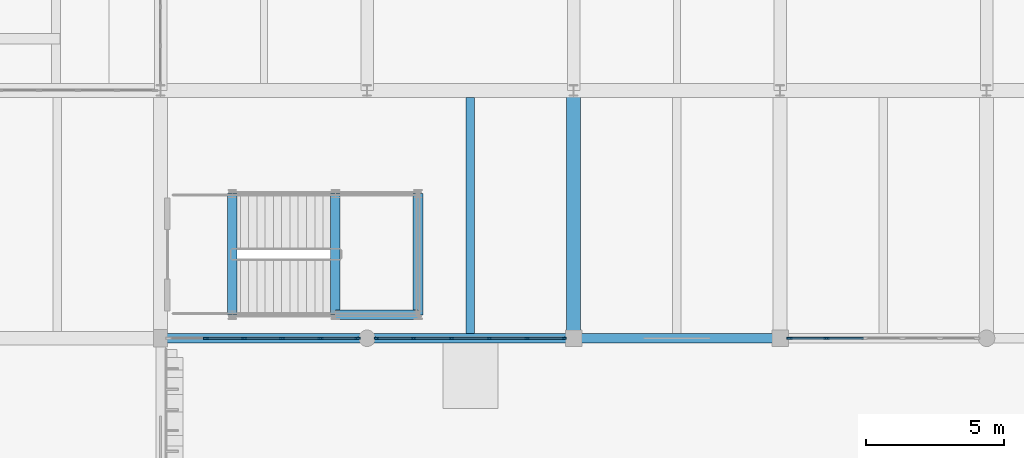
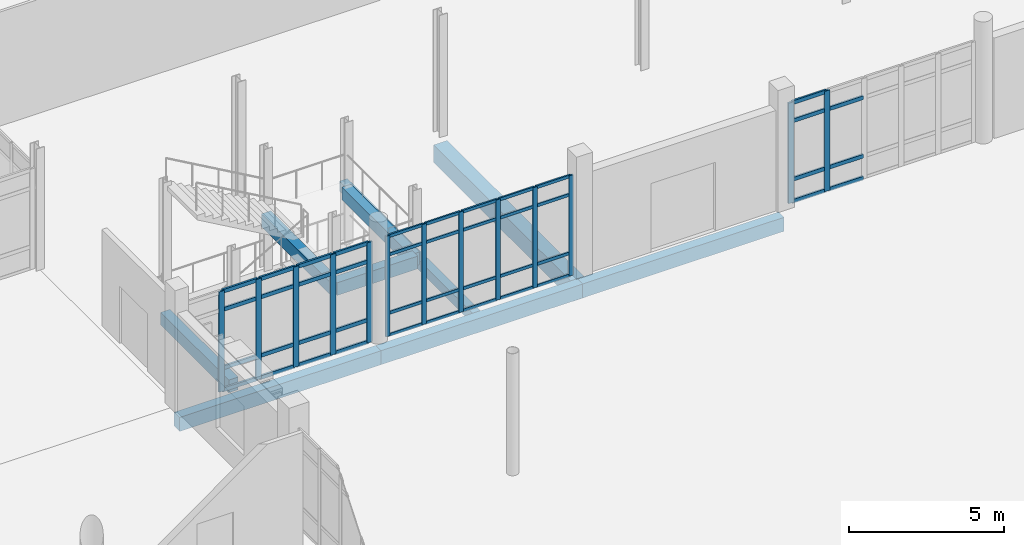
# One storey, part 29 of 125: 56 members, 9 beams, 3 elements without a shape of their own.
"""IFC4 building model written with IfcOpenShell, lengths in metres."""

from ifc_helpers import new_model, si_unit, direction, frame, origin, origin_2d, place, context, subcontext, project, spatial, rectangle, extrude, material, layer, layer_set, material_profile, profile_set, type_object, element, aggregate, save


model = new_model("IFC4")

# Units and contexts
model_context = context("Model", 3, precision=1e-05, world=origin(), true_north=direction((0.0, 1.0)))
body_context = subcontext(model_context, "Body", "Model", "MODEL_VIEW")
ifc_project = project(units=[si_unit("LENGTHUNIT", "METRE"), si_unit("AREAUNIT", "SQUARE_METRE"), si_unit("VOLUMEUNIT", "CUBIC_METRE"), si_unit("PLANEANGLEUNIT", "RADIAN"), si_unit("MASSUNIT", "GRAM", prefix="KILO")], contexts=[model_context])

# Site, building, storey
site_placement = place(None, origin())
site = spatial("IfcSite", under=ifc_project, at=site_placement, CompositionType="ELEMENT")
building_placement = place(site_placement, origin())
building = spatial("IfcBuilding", under=site, at=building_placement, Name="Dalvernix Boulevard General Hospital", CompositionType="ELEMENT")
storey_placement = place(building_placement, origin())
storey = spatial("IfcBuildingStorey", under=building, at=storey_placement, Name="L00", CompositionType="ELEMENT", Elevation=0.0)

# Beams
ifc_material_1 = material(Name="Concrete C35/45", Category="concrete")
ifc_material_profile_1 = material_profile(ifc_material_1, rectangle(XDim=0.5, YDim=0.699951171875, at=origin_2d()), Name="RCB 500x700")
ifc_profile_set_1 = profile_set([ifc_material_profile_1], Name="Concrete C35/45")
beam_type_1 = type_object("IfcBeamType", Name="BM-B-01-I", PredefinedType="BEAM", material=ifc_profile_set_1)
beam_1_placement = place(storey_placement, frame((75.0, 22.5, -0.7099609375), z_axis=(0.0, 1.0, 0.0), x_axis=(-1.0, 0.0, 0.0)))
element("IfcBeam", 1, at=beam_1_placement, inside=storey, type_object=beam_type_1, Name="L00 N-S girder 11:D-E", PredefinedType="BEAM", context=body_context, shape_type="SweptSolid", body=[
    extrude(rectangle(XDim=0.5, YDim=0.699951171875, at=origin_2d()), origin(), (0.0, 0.0, 1.0), 9.0),
])
ifc_material_profile_2 = material_profile(ifc_material_1, rectangle(XDim=0.35009765625, YDim=0.5, at=origin_2d()), Name="RCB 350x500")
ifc_profile_set_2 = profile_set([ifc_material_profile_2], Name="Concrete C35/45")
beam_type_2 = type_object("IfcBeamType", Name="BM-B-08", PredefinedType="BEAM", material=ifc_profile_set_2)
for number, where, z_axis, x_axis, name in (
    (2, (69.35009765625, 23.35009765625, 1.949951171875), (0.0, 1.0, 0.0), (-1.0, 0.0, 0.0), "L00 ST-07 half-landing support beam FAR"),
    (3, (66.35009765625, 23.35009765625, 1.949951171875), (0.0, 1.0, 0.0), (-1.0, 0.0, 0.0), "L00 ST-07 half-landing support beam INNER"),
):
    element("IfcBeam", number, at=place(storey_placement, frame(where, z_axis=z_axis, x_axis=x_axis)), inside=storey, type_object=beam_type_2, Name=name, PredefinedType="BEAM", context=body_context, shape_type="SweptSolid", body=[
        extrude(rectangle(XDim=0.35009765625, YDim=0.5, at=origin_2d()), origin(), (0.0, 0.0, 1.0), 4.39990234375),
    ])
beam_2_placement = place(storey_placement, frame((66.35009765625, 23.35009765625, 1.949951171875), z_axis=(1.0, 0.0, 0.0), x_axis=(0.0, 1.0, 0.0)))
element("IfcBeam", 4, at=beam_2_placement, inside=storey, type_object=beam_type_2, Name="L00 ST-07 half-landing south edge beam", PredefinedType="BEAM", context=body_context, shape_type="SweptSolid", body=[
    extrude(rectangle(XDim=0.35009765625, YDim=0.5, at=origin_2d()), origin(), (0.0, 0.0, 1.0), 3.0),
])
beam_3_placement = place(storey_placement, frame((62.60009765625, 23.35009765625, -0.610107421875), z_axis=(0.0, 1.0, 0.0), x_axis=(-1.0, 0.0, 0.0)))
element("IfcBeam", 5, at=beam_3_placement, inside=storey, type_object=beam_type_2, Name="L00 ST-07 floor-edge support beam", PredefinedType="BEAM", context=body_context, shape_type="SweptSolid", body=[
    extrude(rectangle(XDim=0.35009765625, YDim=0.5, at=origin_2d()), origin(), (0.0, 0.0, 1.0), 4.39990234375),
])
ifc_material_profile_3 = material_profile(ifc_material_1, rectangle(XDim=0.300048828125, YDim=0.39990234375, at=origin_2d()), Name="RCB 300x400")
ifc_profile_set_3 = profile_set([ifc_material_profile_3], Name="Concrete C35/45")
beam_type_3 = type_object("IfcBeamType", Name="BM-JB-01", PredefinedType="JOIST", material=ifc_profile_set_3)
beam_4_placement = place(storey_placement, frame((71.25, 22.675048828125, -0.56005859375), z_axis=(0.0, 1.0, 0.0), x_axis=(-1.0, 0.0, 0.0)))
element("IfcBeam", 6, at=beam_4_placement, inside=storey, type_object=beam_type_3, Name="L00 secondary floor beam 10-D", PredefinedType="JOIST", context=body_context, shape_type="SweptSolid", body=[
    extrude(rectangle(XDim=0.300048828125, YDim=0.39990234375, at=origin_2d()), origin(), (0.0, 0.0, 1.0), 8.574951171875),
])
ifc_material_profile_4 = material_profile(ifc_material_1, rectangle(XDim=0.35009765625, YDim=0.550048828125, at=origin_2d()), Name="RCB 350x550")
ifc_profile_set_4 = profile_set([ifc_material_profile_4], Name="Concrete C35/45")
beam_type_4 = type_object("IfcBeamType", Name="BM-SB-01-E", PredefinedType="SPANDREL", material=ifc_profile_set_4)
for number, where, z_axis, x_axis, name in (
    (7, (60.0, 22.5, -0.635009765625), (1.0, 0.0, 0.0), (0.0, 1.0, 0.0), "L00 E-W girder D:9-10"),
    (8, (67.5, 22.5, -0.635009765625), (1.0, 0.0, 0.0), (0.0, 1.0, 0.0), "L00 E-W girder D:10-11"),
    (9, (75.0, 22.5, -0.635009765625), (1.0, 0.0, 0.0), (0.0, 1.0, 0.0), "L00 E-W girder D:11-12"),
):
    element("IfcBeam", number, at=place(storey_placement, frame(where, z_axis=z_axis, x_axis=x_axis)), inside=storey, type_object=beam_type_4, Name=name, PredefinedType="SPANDREL", context=body_context, shape_type="SweptSolid", body=[
        extrude(rectangle(XDim=0.35009765625, YDim=0.550048828125, at=origin_2d()), origin(), (0.0, 0.0, 1.0), 7.5),
    ])

# Curtain wall, members
ifc_material_2 = material(Name="Thermally broken aluminium and solar-control glass curtain wall", Category="aluminium")
ifc_layer_1 = layer(ifc_material_2, 0.159912109375)
ifc_layer_set_1 = layer_set([ifc_layer_1], Name="Thermally broken aluminium and solar-control glass curtain wall (CW-CW-A-69x40)")
curtain_wall_type_1 = type_object("IfcCurtainWallType", Name="CW-CW-A-69x40", PredefinedType="USERDEFINED", material=ifc_layer_set_1)
curtain_wall_1_placement = place(storey_placement, origin())
curtain_wall_1 = element("IfcCurtainWall", 10, at=curtain_wall_1_placement, inside=storey, type_object=curtain_wall_type_1, Name="L00 curtain wall CW-A-69x40 9-3", ObjectType="GLAZED FACADE", PredefinedType="USERDEFINED")
ifc_material_3 = material(Name="Aluminium EN AW-6060", Category="aluminium")
ifc_material_profile_5 = material_profile(ifc_material_3, rectangle(XDim=0.06005859375, YDim=0.159912109375, at=origin_2d()), Name="ALU MULL 60x160")
ifc_profile_set_5 = profile_set([ifc_material_profile_5], Name="Aluminium EN AW-6060")
member_type_1 = type_object("IfcMemberType", Name="MEM-CW-M1", PredefinedType="MULLION", material=ifc_profile_set_5)
member_1_placement = place(storey_placement, frame((74.659912109375, 22.5, 0.0), z_axis=(0.0, 0.0, 1.0), x_axis=(0.0, -1.0, 0.0)))
member_1 = element("IfcMember", 11, at=member_1_placement, type_object=member_type_1, Name="CW-A-69x40 mullion 1", PredefinedType="MULLION", context=body_context, shape_type="SweptSolid", body=[
    extrude(rectangle(XDim=0.06005859375, YDim=0.159912109375, at=origin_2d()), origin(), (0.0, 0.0, 1.0), 3.949951171875),
])
member_2_placement = place(storey_placement, frame((73.31396484375, 22.5, 0.0), z_axis=(0.0, 0.0, 1.0), x_axis=(0.0, -1.0, 0.0)))
member_2 = element("IfcMember", 12, at=member_2_placement, type_object=member_type_1, Name="CW-A-69x40 mullion 2", PredefinedType="MULLION", context=body_context, shape_type="SweptSolid", body=[
    extrude(rectangle(XDim=0.06005859375, YDim=0.159912109375, at=origin_2d()), origin(), (0.0, 0.0, 1.0), 3.949951171875),
])
member_3_placement = place(storey_placement, frame((71.93798828125, 22.5, 0.0), z_axis=(0.0, 0.0, 1.0), x_axis=(0.0, -1.0, 0.0)))
member_3 = element("IfcMember", 13, at=member_3_placement, type_object=member_type_1, Name="CW-A-69x40 mullion 3", PredefinedType="MULLION", context=body_context, shape_type="SweptSolid", body=[
    extrude(rectangle(XDim=0.06005859375, YDim=0.159912109375, at=origin_2d()), origin(), (0.0, 0.0, 1.0), 3.949951171875),
])
member_4_placement = place(storey_placement, frame((70.56201171875, 22.5, 0.0), z_axis=(0.0, 0.0, 1.0), x_axis=(0.0, -1.0, 0.0)))
member_4 = element("IfcMember", 14, at=member_4_placement, type_object=member_type_1, Name="CW-A-69x40 mullion 4", PredefinedType="MULLION", context=body_context, shape_type="SweptSolid", body=[
    extrude(rectangle(XDim=0.06005859375, YDim=0.159912109375, at=origin_2d()), origin(), (0.0, 0.0, 1.0), 3.949951171875),
])
member_5_placement = place(storey_placement, frame((69.18603515625, 22.5, 0.0), z_axis=(0.0, 0.0, 1.0), x_axis=(0.0, -1.0, 0.0)))
member_5 = element("IfcMember", 15, at=member_5_placement, type_object=member_type_1, Name="CW-A-69x40 mullion 5", PredefinedType="MULLION", context=body_context, shape_type="SweptSolid", body=[
    extrude(rectangle(XDim=0.06005859375, YDim=0.159912109375, at=origin_2d()), origin(), (0.0, 0.0, 1.0), 3.949951171875),
])
member_6_placement = place(storey_placement, frame((67.840087890625, 22.5, 0.0), z_axis=(0.0, 0.0, 1.0), x_axis=(0.0, -1.0, 0.0)))
member_6 = element("IfcMember", 16, at=member_6_placement, type_object=member_type_1, Name="CW-A-69x40 mullion 6", PredefinedType="MULLION", context=body_context, shape_type="SweptSolid", body=[
    extrude(rectangle(XDim=0.06005859375, YDim=0.159912109375, at=origin_2d()), origin(), (0.0, 0.0, 1.0), 3.949951171875),
])

ifc_layer_2 = layer(ifc_material_2, 0.199951171875)
ifc_layer_set_2 = layer_set([ifc_layer_2], Name="Thermally broken aluminium and solar-control glass curtain wall (CW-CW-C-69x40)")
curtain_wall_type_2 = type_object("IfcCurtainWallType", Name="CW-CW-C-69x40", PredefinedType="USERDEFINED", material=ifc_layer_set_2)
curtain_wall_2_placement = place(storey_placement, origin())
curtain_wall_2 = element("IfcCurtainWall", 17, at=curtain_wall_2_placement, inside=storey, type_object=curtain_wall_type_2, Name="L00 curtain wall CW-C-69x40 8-3", ObjectType="GLAZED FACADE", PredefinedType="USERDEFINED")
ifc_material_profile_6 = material_profile(ifc_material_3, rectangle(XDim=0.070068359375, YDim=0.199951171875, at=origin_2d()), Name="ALU MULL 70x200")
ifc_profile_set_6 = profile_set([ifc_material_profile_6], Name="Aluminium EN AW-6060")
member_type_2 = type_object("IfcMemberType", Name="MEM-CW-M3", PredefinedType="MULLION", material=ifc_profile_set_6)
member_7_placement = place(storey_placement, frame((67.155029296875, 22.5, 0.0), z_axis=(0.0, 0.0, 1.0), x_axis=(0.0, -1.0, 0.0)))
member_7 = element("IfcMember", 18, at=member_7_placement, type_object=member_type_2, Name="CW-C-69x40 mullion 1", PredefinedType="MULLION", context=body_context, shape_type="SweptSolid", body=[
    extrude(rectangle(XDim=0.070068359375, YDim=0.199951171875, at=origin_2d()), origin(), (0.0, 0.0, 1.0), 3.949951171875),
])
member_8_placement = place(storey_placement, frame((65.803955078125, 22.5, 0.0), z_axis=(0.0, 0.0, 1.0), x_axis=(0.0, -1.0, 0.0)))
member_8 = element("IfcMember", 19, at=member_8_placement, type_object=member_type_2, Name="CW-C-69x40 mullion 2", PredefinedType="MULLION", context=body_context, shape_type="SweptSolid", body=[
    extrude(rectangle(XDim=0.070068359375, YDim=0.199951171875, at=origin_2d()), origin(), (0.0, 0.0, 1.0), 3.949951171875),
])
member_9_placement = place(storey_placement, frame((64.41796875, 22.5, 0.0), z_axis=(0.0, 0.0, 1.0), x_axis=(0.0, -1.0, 0.0)))
member_9 = element("IfcMember", 20, at=member_9_placement, type_object=member_type_2, Name="CW-C-69x40 mullion 3", PredefinedType="MULLION", context=body_context, shape_type="SweptSolid", body=[
    extrude(rectangle(XDim=0.070068359375, YDim=0.199951171875, at=origin_2d()), origin(), (0.0, 0.0, 1.0), 3.949951171875),
])
member_10_placement = place(storey_placement, frame((63.031982421875, 22.5, 0.0), z_axis=(0.0, 0.0, 1.0), x_axis=(0.0, -1.0, 0.0)))
member_10 = element("IfcMember", 21, at=member_10_placement, type_object=member_type_2, Name="CW-C-69x40 mullion 4", PredefinedType="MULLION", context=body_context, shape_type="SweptSolid", body=[
    extrude(rectangle(XDim=0.070068359375, YDim=0.199951171875, at=origin_2d()), origin(), (0.0, 0.0, 1.0), 3.949951171875),
])
member_11_placement = place(storey_placement, frame((61.64599609375, 22.5, 0.0), z_axis=(0.0, 0.0, 1.0), x_axis=(0.0, -1.0, 0.0)))
member_11 = element("IfcMember", 22, at=member_11_placement, type_object=member_type_2, Name="CW-C-69x40 mullion 5", PredefinedType="MULLION", context=body_context, shape_type="SweptSolid", body=[
    extrude(rectangle(XDim=0.070068359375, YDim=0.199951171875, at=origin_2d()), origin(), (0.0, 0.0, 1.0), 3.949951171875),
])

curtain_wall_3_placement = place(storey_placement, origin())
curtain_wall_3 = element("IfcCurtainWall", 23, at=curtain_wall_3_placement, inside=storey, type_object=curtain_wall_type_2, Name="L00 curtain wall CW-C-69x40 11-3", ObjectType="GLAZED FACADE", PredefinedType="USERDEFINED")
member_12_placement = place(storey_placement, frame((84.18603515625, 22.5, 0.0), z_axis=(0.0, 0.0, 1.0), x_axis=(0.0, -1.0, 0.0)))
member_12 = element("IfcMember", 24, at=member_12_placement, type_object=member_type_2, Name="CW-C-69x40 mullion 5", PredefinedType="MULLION", context=body_context, shape_type="SweptSolid", body=[
    extrude(rectangle(XDim=0.070068359375, YDim=0.199951171875, at=origin_2d()), origin(), (0.0, 0.0, 1.0), 3.949951171875),
])
member_13_placement = place(storey_placement, frame((82.844970703125, 22.5, 0.0), z_axis=(0.0, 0.0, 1.0), x_axis=(0.0, -1.0, 0.0)))
member_13 = element("IfcMember", 25, at=member_13_placement, type_object=member_type_2, Name="CW-C-69x40 mullion 6", PredefinedType="MULLION", context=body_context, shape_type="SweptSolid", body=[
    extrude(rectangle(XDim=0.070068359375, YDim=0.199951171875, at=origin_2d()), origin(), (0.0, 0.0, 1.0), 3.949951171875),
])

# Member
ifc_material_profile_7 = material_profile(ifc_material_3, rectangle(XDim=0.06005859375, YDim=0.1201171875, at=origin_2d()), Name="ALU TRAN 60x120")
ifc_profile_set_7 = profile_set([ifc_material_profile_7], Name="Aluminium EN AW-6060")
member_type_3 = type_object("IfcMemberType", Name="MEM-CW-T1", PredefinedType="USERDEFINED", material=ifc_profile_set_7)
member_14_placement = place(storey_placement, frame((74.6298828125, 22.5, 0.030029296875), z_axis=(-1.0, 0.0, 0.0), x_axis=(0.0, -1.0, 0.0)))
member_14 = element("IfcMember", 26, at=member_14_placement, type_object=member_type_3, Name="CW-A-69x40 transom 1.1", ObjectType="TRANSOM", PredefinedType="USERDEFINED", context=body_context, shape_type="SweptSolid", body=[
    extrude(rectangle(XDim=0.06005859375, YDim=0.1201171875, at=origin_2d()), origin(), (0.0, 0.0, 1.0), 1.285888671875),
])

member_15_placement = place(storey_placement, frame((74.6298828125, 22.5, 0.89990234375), z_axis=(-1.0, 0.0, 0.0), x_axis=(0.0, -1.0, 0.0)))
member_15 = element("IfcMember", 27, at=member_15_placement, type_object=member_type_3, Name="CW-A-69x40 transom 1.2", ObjectType="TRANSOM", PredefinedType="USERDEFINED", context=body_context, shape_type="SweptSolid", body=[
    extrude(rectangle(XDim=0.06005859375, YDim=0.1201171875, at=origin_2d()), origin(), (0.0, 0.0, 1.0), 1.285888671875),
])

member_16_placement = place(storey_placement, frame((74.6298828125, 22.5, 3.199951171875), z_axis=(-1.0, 0.0, 0.0), x_axis=(0.0, -1.0, 0.0)))
member_16 = element("IfcMember", 28, at=member_16_placement, type_object=member_type_3, Name="CW-A-69x40 transom 1.3", ObjectType="TRANSOM", PredefinedType="USERDEFINED", context=body_context, shape_type="SweptSolid", body=[
    extrude(rectangle(XDim=0.06005859375, YDim=0.1201171875, at=origin_2d()), origin(), (0.0, 0.0, 1.0), 1.285888671875),
])

member_17_placement = place(storey_placement, frame((74.6298828125, 22.5, 3.919921875), z_axis=(-1.0, 0.0, 0.0), x_axis=(0.0, -1.0, 0.0)))
member_17 = element("IfcMember", 29, at=member_17_placement, type_object=member_type_3, Name="CW-A-69x40 transom 1.4", ObjectType="TRANSOM", PredefinedType="USERDEFINED", context=body_context, shape_type="SweptSolid", body=[
    extrude(rectangle(XDim=0.06005859375, YDim=0.1201171875, at=origin_2d()), origin(), (0.0, 0.0, 1.0), 1.285888671875),
])

member_18_placement = place(storey_placement, frame((73.283935546875, 22.5, 0.030029296875), z_axis=(-1.0, 0.0, 0.0), x_axis=(0.0, -1.0, 0.0)))
member_18 = element("IfcMember", 30, at=member_18_placement, type_object=member_type_3, Name="CW-A-69x40 transom 2.1", ObjectType="TRANSOM", PredefinedType="USERDEFINED", context=body_context, shape_type="SweptSolid", body=[
    extrude(rectangle(XDim=0.06005859375, YDim=0.1201171875, at=origin_2d()), origin(), (0.0, 0.0, 1.0), 1.31591796875),
])

member_19_placement = place(storey_placement, frame((73.283935546875, 22.5, 0.89990234375), z_axis=(-1.0, 0.0, 0.0), x_axis=(0.0, -1.0, 0.0)))
member_19 = element("IfcMember", 31, at=member_19_placement, type_object=member_type_3, Name="CW-A-69x40 transom 2.2", ObjectType="TRANSOM", PredefinedType="USERDEFINED", context=body_context, shape_type="SweptSolid", body=[
    extrude(rectangle(XDim=0.06005859375, YDim=0.1201171875, at=origin_2d()), origin(), (0.0, 0.0, 1.0), 1.31591796875),
])

member_20_placement = place(storey_placement, frame((73.283935546875, 22.5, 3.199951171875), z_axis=(-1.0, 0.0, 0.0), x_axis=(0.0, -1.0, 0.0)))
member_20 = element("IfcMember", 32, at=member_20_placement, type_object=member_type_3, Name="CW-A-69x40 transom 2.3", ObjectType="TRANSOM", PredefinedType="USERDEFINED", context=body_context, shape_type="SweptSolid", body=[
    extrude(rectangle(XDim=0.06005859375, YDim=0.1201171875, at=origin_2d()), origin(), (0.0, 0.0, 1.0), 1.31591796875),
])

member_21_placement = place(storey_placement, frame((73.283935546875, 22.5, 3.919921875), z_axis=(-1.0, 0.0, 0.0), x_axis=(0.0, -1.0, 0.0)))
member_21 = element("IfcMember", 33, at=member_21_placement, type_object=member_type_3, Name="CW-A-69x40 transom 2.4", ObjectType="TRANSOM", PredefinedType="USERDEFINED", context=body_context, shape_type="SweptSolid", body=[
    extrude(rectangle(XDim=0.06005859375, YDim=0.1201171875, at=origin_2d()), origin(), (0.0, 0.0, 1.0), 1.31591796875),
])

member_22_placement = place(storey_placement, frame((71.907958984375, 22.5, 0.030029296875), z_axis=(-1.0, 0.0, 0.0), x_axis=(0.0, -1.0, 0.0)))
member_22 = element("IfcMember", 34, at=member_22_placement, type_object=member_type_3, Name="CW-A-69x40 transom 3.1", ObjectType="TRANSOM", PredefinedType="USERDEFINED", context=body_context, shape_type="SweptSolid", body=[
    extrude(rectangle(XDim=0.06005859375, YDim=0.1201171875, at=origin_2d()), origin(), (0.0, 0.0, 1.0), 1.31591796875),
])

member_23_placement = place(storey_placement, frame((71.907958984375, 22.5, 0.89990234375), z_axis=(-1.0, 0.0, 0.0), x_axis=(0.0, -1.0, 0.0)))
member_23 = element("IfcMember", 35, at=member_23_placement, type_object=member_type_3, Name="CW-A-69x40 transom 3.2", ObjectType="TRANSOM", PredefinedType="USERDEFINED", context=body_context, shape_type="SweptSolid", body=[
    extrude(rectangle(XDim=0.06005859375, YDim=0.1201171875, at=origin_2d()), origin(), (0.0, 0.0, 1.0), 1.31591796875),
])

member_24_placement = place(storey_placement, frame((71.907958984375, 22.5, 3.199951171875), z_axis=(-1.0, 0.0, 0.0), x_axis=(0.0, -1.0, 0.0)))
member_24 = element("IfcMember", 36, at=member_24_placement, type_object=member_type_3, Name="CW-A-69x40 transom 3.3", ObjectType="TRANSOM", PredefinedType="USERDEFINED", context=body_context, shape_type="SweptSolid", body=[
    extrude(rectangle(XDim=0.06005859375, YDim=0.1201171875, at=origin_2d()), origin(), (0.0, 0.0, 1.0), 1.31591796875),
])

member_25_placement = place(storey_placement, frame((71.907958984375, 22.5, 3.919921875), z_axis=(-1.0, 0.0, 0.0), x_axis=(0.0, -1.0, 0.0)))
member_25 = element("IfcMember", 37, at=member_25_placement, type_object=member_type_3, Name="CW-A-69x40 transom 3.4", ObjectType="TRANSOM", PredefinedType="USERDEFINED", context=body_context, shape_type="SweptSolid", body=[
    extrude(rectangle(XDim=0.06005859375, YDim=0.1201171875, at=origin_2d()), origin(), (0.0, 0.0, 1.0), 1.31591796875),
])

member_26_placement = place(storey_placement, frame((70.531982421875, 22.5, 0.030029296875), z_axis=(-1.0, 0.0, 0.0), x_axis=(0.0, -1.0, 0.0)))
member_26 = element("IfcMember", 38, at=member_26_placement, type_object=member_type_3, Name="CW-A-69x40 transom 4.1", ObjectType="TRANSOM", PredefinedType="USERDEFINED", context=body_context, shape_type="SweptSolid", body=[
    extrude(rectangle(XDim=0.06005859375, YDim=0.1201171875, at=origin_2d()), origin(), (0.0, 0.0, 1.0), 1.31591796875),
])

member_27_placement = place(storey_placement, frame((70.531982421875, 22.5, 0.89990234375), z_axis=(-1.0, 0.0, 0.0), x_axis=(0.0, -1.0, 0.0)))
member_27 = element("IfcMember", 39, at=member_27_placement, type_object=member_type_3, Name="CW-A-69x40 transom 4.2", ObjectType="TRANSOM", PredefinedType="USERDEFINED", context=body_context, shape_type="SweptSolid", body=[
    extrude(rectangle(XDim=0.06005859375, YDim=0.1201171875, at=origin_2d()), origin(), (0.0, 0.0, 1.0), 1.31591796875),
])

member_28_placement = place(storey_placement, frame((70.531982421875, 22.5, 3.199951171875), z_axis=(-1.0, 0.0, 0.0), x_axis=(0.0, -1.0, 0.0)))
member_28 = element("IfcMember", 40, at=member_28_placement, type_object=member_type_3, Name="CW-A-69x40 transom 4.3", ObjectType="TRANSOM", PredefinedType="USERDEFINED", context=body_context, shape_type="SweptSolid", body=[
    extrude(rectangle(XDim=0.06005859375, YDim=0.1201171875, at=origin_2d()), origin(), (0.0, 0.0, 1.0), 1.31591796875),
])

member_29_placement = place(storey_placement, frame((70.531982421875, 22.5, 3.919921875), z_axis=(-1.0, 0.0, 0.0), x_axis=(0.0, -1.0, 0.0)))
member_29 = element("IfcMember", 41, at=member_29_placement, type_object=member_type_3, Name="CW-A-69x40 transom 4.4", ObjectType="TRANSOM", PredefinedType="USERDEFINED", context=body_context, shape_type="SweptSolid", body=[
    extrude(rectangle(XDim=0.06005859375, YDim=0.1201171875, at=origin_2d()), origin(), (0.0, 0.0, 1.0), 1.31591796875),
])

member_30_placement = place(storey_placement, frame((69.156005859375, 22.5, 0.030029296875), z_axis=(-1.0, 0.0, 0.0), x_axis=(0.0, -1.0, 0.0)))
member_30 = element("IfcMember", 42, at=member_30_placement, type_object=member_type_3, Name="CW-A-69x40 transom 5.1", ObjectType="TRANSOM", PredefinedType="USERDEFINED", context=body_context, shape_type="SweptSolid", body=[
    extrude(rectangle(XDim=0.06005859375, YDim=0.1201171875, at=origin_2d()), origin(), (0.0, 0.0, 1.0), 1.285888671875),
])

member_31_placement = place(storey_placement, frame((69.156005859375, 22.5, 0.89990234375), z_axis=(-1.0, 0.0, 0.0), x_axis=(0.0, -1.0, 0.0)))
member_31 = element("IfcMember", 43, at=member_31_placement, type_object=member_type_3, Name="CW-A-69x40 transom 5.2", ObjectType="TRANSOM", PredefinedType="USERDEFINED", context=body_context, shape_type="SweptSolid", body=[
    extrude(rectangle(XDim=0.06005859375, YDim=0.1201171875, at=origin_2d()), origin(), (0.0, 0.0, 1.0), 1.285888671875),
])

member_32_placement = place(storey_placement, frame((69.156005859375, 22.5, 3.199951171875), z_axis=(-1.0, 0.0, 0.0), x_axis=(0.0, -1.0, 0.0)))
member_32 = element("IfcMember", 44, at=member_32_placement, type_object=member_type_3, Name="CW-A-69x40 transom 5.3", ObjectType="TRANSOM", PredefinedType="USERDEFINED", context=body_context, shape_type="SweptSolid", body=[
    extrude(rectangle(XDim=0.06005859375, YDim=0.1201171875, at=origin_2d()), origin(), (0.0, 0.0, 1.0), 1.285888671875),
])

member_33_placement = place(storey_placement, frame((69.156005859375, 22.5, 3.919921875), z_axis=(-1.0, 0.0, 0.0), x_axis=(0.0, -1.0, 0.0)))
member_33 = element("IfcMember", 45, at=member_33_placement, type_object=member_type_3, Name="CW-A-69x40 transom 5.4", ObjectType="TRANSOM", PredefinedType="USERDEFINED", context=body_context, shape_type="SweptSolid", body=[
    extrude(rectangle(XDim=0.06005859375, YDim=0.1201171875, at=origin_2d()), origin(), (0.0, 0.0, 1.0), 1.285888671875),
])

aggregate(curtain_wall_1, [member_1, member_2, member_3, member_4, member_5, member_6, member_14, member_15, member_16, member_17, member_18, member_19, member_20, member_21, member_22, member_23, member_24, member_25, member_26, member_27, member_28, member_29, member_30, member_31, member_32, member_33])

ifc_material_profile_8 = material_profile(ifc_material_3, rectangle(XDim=0.070068359375, YDim=0.14990234375, at=origin_2d()), Name="ALU TRAN 70x150")
ifc_profile_set_8 = profile_set([ifc_material_profile_8], Name="Aluminium EN AW-6060")
member_type_4 = type_object("IfcMemberType", Name="MEM-CW-T3", PredefinedType="USERDEFINED", material=ifc_profile_set_8)
member_34_placement = place(storey_placement, frame((67.1201171875, 22.5, 0.034912109375), z_axis=(-1.0, 0.0, 0.0), x_axis=(0.0, -1.0, 0.0)))
member_34 = element("IfcMember", 46, at=member_34_placement, type_object=member_type_4, Name="CW-C-69x40 transom 1.1", ObjectType="TRANSOM", PredefinedType="USERDEFINED", context=body_context, shape_type="SweptSolid", body=[
    extrude(rectangle(XDim=0.070068359375, YDim=0.14990234375, at=origin_2d()), origin(), (0.0, 0.0, 1.0), 1.281005859375),
])

member_35_placement = place(storey_placement, frame((67.1201171875, 22.5, 0.89990234375), z_axis=(-1.0, 0.0, 0.0), x_axis=(0.0, -1.0, 0.0)))
member_35 = element("IfcMember", 47, at=member_35_placement, type_object=member_type_4, Name="CW-C-69x40 transom 1.2", ObjectType="TRANSOM", PredefinedType="USERDEFINED", context=body_context, shape_type="SweptSolid", body=[
    extrude(rectangle(XDim=0.070068359375, YDim=0.14990234375, at=origin_2d()), origin(), (0.0, 0.0, 1.0), 1.281005859375),
])

member_36_placement = place(storey_placement, frame((67.1201171875, 22.5, 3.199951171875), z_axis=(-1.0, 0.0, 0.0), x_axis=(0.0, -1.0, 0.0)))
member_36 = element("IfcMember", 48, at=member_36_placement, type_object=member_type_4, Name="CW-C-69x40 transom 1.3", ObjectType="TRANSOM", PredefinedType="USERDEFINED", context=body_context, shape_type="SweptSolid", body=[
    extrude(rectangle(XDim=0.070068359375, YDim=0.14990234375, at=origin_2d()), origin(), (0.0, 0.0, 1.0), 1.281005859375),
])

member_37_placement = place(storey_placement, frame((67.1201171875, 22.5, 3.9150390625), z_axis=(-1.0, 0.0, 0.0), x_axis=(0.0, -1.0, 0.0)))
member_37 = element("IfcMember", 49, at=member_37_placement, type_object=member_type_4, Name="CW-C-69x40 transom 1.4", ObjectType="TRANSOM", PredefinedType="USERDEFINED", context=body_context, shape_type="SweptSolid", body=[
    extrude(rectangle(XDim=0.070068359375, YDim=0.14990234375, at=origin_2d()), origin(), (0.0, 0.0, 1.0), 1.281005859375),
])

member_38_placement = place(storey_placement, frame((65.76904296875, 22.5, 0.034912109375), z_axis=(-1.0, 0.0, 0.0), x_axis=(0.0, -1.0, 0.0)))
member_38 = element("IfcMember", 50, at=member_38_placement, type_object=member_type_4, Name="CW-C-69x40 transom 2.1", ObjectType="TRANSOM", PredefinedType="USERDEFINED", context=body_context, shape_type="SweptSolid", body=[
    extrude(rectangle(XDim=0.070068359375, YDim=0.14990234375, at=origin_2d()), origin(), (0.0, 0.0, 1.0), 1.316162109375),
])

member_39_placement = place(storey_placement, frame((65.76904296875, 22.5, 0.89990234375), z_axis=(-1.0, 0.0, 0.0), x_axis=(0.0, -1.0, 0.0)))
member_39 = element("IfcMember", 51, at=member_39_placement, type_object=member_type_4, Name="CW-C-69x40 transom 2.2", ObjectType="TRANSOM", PredefinedType="USERDEFINED", context=body_context, shape_type="SweptSolid", body=[
    extrude(rectangle(XDim=0.070068359375, YDim=0.14990234375, at=origin_2d()), origin(), (0.0, 0.0, 1.0), 1.316162109375),
])

member_40_placement = place(storey_placement, frame((65.76904296875, 22.5, 3.199951171875), z_axis=(-1.0, 0.0, 0.0), x_axis=(0.0, -1.0, 0.0)))
member_40 = element("IfcMember", 52, at=member_40_placement, type_object=member_type_4, Name="CW-C-69x40 transom 2.3", ObjectType="TRANSOM", PredefinedType="USERDEFINED", context=body_context, shape_type="SweptSolid", body=[
    extrude(rectangle(XDim=0.070068359375, YDim=0.14990234375, at=origin_2d()), origin(), (0.0, 0.0, 1.0), 1.316162109375),
])

member_41_placement = place(storey_placement, frame((65.76904296875, 22.5, 3.9150390625), z_axis=(-1.0, 0.0, 0.0), x_axis=(0.0, -1.0, 0.0)))
member_41 = element("IfcMember", 53, at=member_41_placement, type_object=member_type_4, Name="CW-C-69x40 transom 2.4", ObjectType="TRANSOM", PredefinedType="USERDEFINED", context=body_context, shape_type="SweptSolid", body=[
    extrude(rectangle(XDim=0.070068359375, YDim=0.14990234375, at=origin_2d()), origin(), (0.0, 0.0, 1.0), 1.316162109375),
])

member_42_placement = place(storey_placement, frame((64.383056640625, 22.5, 0.034912109375), z_axis=(-1.0, 0.0, 0.0), x_axis=(0.0, -1.0, 0.0)))
member_42 = element("IfcMember", 54, at=member_42_placement, type_object=member_type_4, Name="CW-C-69x40 transom 3.1", ObjectType="TRANSOM", PredefinedType="USERDEFINED", context=body_context, shape_type="SweptSolid", body=[
    extrude(rectangle(XDim=0.070068359375, YDim=0.14990234375, at=origin_2d()), origin(), (0.0, 0.0, 1.0), 1.316162109375),
])

member_43_placement = place(storey_placement, frame((64.383056640625, 22.5, 0.89990234375), z_axis=(-1.0, 0.0, 0.0), x_axis=(0.0, -1.0, 0.0)))
member_43 = element("IfcMember", 55, at=member_43_placement, type_object=member_type_4, Name="CW-C-69x40 transom 3.2", ObjectType="TRANSOM", PredefinedType="USERDEFINED", context=body_context, shape_type="SweptSolid", body=[
    extrude(rectangle(XDim=0.070068359375, YDim=0.14990234375, at=origin_2d()), origin(), (0.0, 0.0, 1.0), 1.316162109375),
])

member_44_placement = place(storey_placement, frame((64.383056640625, 22.5, 3.199951171875), z_axis=(-1.0, 0.0, 0.0), x_axis=(0.0, -1.0, 0.0)))
member_44 = element("IfcMember", 56, at=member_44_placement, type_object=member_type_4, Name="CW-C-69x40 transom 3.3", ObjectType="TRANSOM", PredefinedType="USERDEFINED", context=body_context, shape_type="SweptSolid", body=[
    extrude(rectangle(XDim=0.070068359375, YDim=0.14990234375, at=origin_2d()), origin(), (0.0, 0.0, 1.0), 1.316162109375),
])

member_45_placement = place(storey_placement, frame((64.383056640625, 22.5, 3.9150390625), z_axis=(-1.0, 0.0, 0.0), x_axis=(0.0, -1.0, 0.0)))
member_45 = element("IfcMember", 57, at=member_45_placement, type_object=member_type_4, Name="CW-C-69x40 transom 3.4", ObjectType="TRANSOM", PredefinedType="USERDEFINED", context=body_context, shape_type="SweptSolid", body=[
    extrude(rectangle(XDim=0.070068359375, YDim=0.14990234375, at=origin_2d()), origin(), (0.0, 0.0, 1.0), 1.316162109375),
])

member_46_placement = place(storey_placement, frame((62.9970703125, 22.5, 0.034912109375), z_axis=(-1.0, 0.0, 0.0), x_axis=(0.0, -1.0, 0.0)))
member_46 = element("IfcMember", 58, at=member_46_placement, type_object=member_type_4, Name="CW-C-69x40 transom 4.1", ObjectType="TRANSOM", PredefinedType="USERDEFINED", context=body_context, shape_type="SweptSolid", body=[
    extrude(rectangle(XDim=0.070068359375, YDim=0.14990234375, at=origin_2d()), origin(), (0.0, 0.0, 1.0), 1.316162109375),
])

member_47_placement = place(storey_placement, frame((62.9970703125, 22.5, 0.89990234375), z_axis=(-1.0, 0.0, 0.0), x_axis=(0.0, -1.0, 0.0)))
member_47 = element("IfcMember", 59, at=member_47_placement, type_object=member_type_4, Name="CW-C-69x40 transom 4.2", ObjectType="TRANSOM", PredefinedType="USERDEFINED", context=body_context, shape_type="SweptSolid", body=[
    extrude(rectangle(XDim=0.070068359375, YDim=0.14990234375, at=origin_2d()), origin(), (0.0, 0.0, 1.0), 1.316162109375),
])

member_48_placement = place(storey_placement, frame((62.9970703125, 22.5, 3.199951171875), z_axis=(-1.0, 0.0, 0.0), x_axis=(0.0, -1.0, 0.0)))
member_48 = element("IfcMember", 60, at=member_48_placement, type_object=member_type_4, Name="CW-C-69x40 transom 4.3", ObjectType="TRANSOM", PredefinedType="USERDEFINED", context=body_context, shape_type="SweptSolid", body=[
    extrude(rectangle(XDim=0.070068359375, YDim=0.14990234375, at=origin_2d()), origin(), (0.0, 0.0, 1.0), 1.316162109375),
])

member_49_placement = place(storey_placement, frame((62.9970703125, 22.5, 3.9150390625), z_axis=(-1.0, 0.0, 0.0), x_axis=(0.0, -1.0, 0.0)))
member_49 = element("IfcMember", 61, at=member_49_placement, type_object=member_type_4, Name="CW-C-69x40 transom 4.4", ObjectType="TRANSOM", PredefinedType="USERDEFINED", context=body_context, shape_type="SweptSolid", body=[
    extrude(rectangle(XDim=0.070068359375, YDim=0.14990234375, at=origin_2d()), origin(), (0.0, 0.0, 1.0), 1.316162109375),
])

aggregate(curtain_wall_2, [member_7, member_8, member_9, member_10, member_11, member_34, member_35, member_36, member_37, member_38, member_39, member_40, member_41, member_42, member_43, member_44, member_45, member_46, member_47, member_48, member_49])

member_50_placement = place(storey_placement, frame((85.527099609375, 22.5, 0.034912109375), z_axis=(-1.0, 0.0, 0.0), x_axis=(0.0, -1.0, 0.0)))
member_50 = element("IfcMember", 62, at=member_50_placement, type_object=member_type_4, Name="CW-C-69x40 transom 4.1", ObjectType="TRANSOM", PredefinedType="USERDEFINED", context=body_context, shape_type="SweptSolid", body=[
    extrude(rectangle(XDim=0.070068359375, YDim=0.14990234375, at=origin_2d()), origin(), (0.0, 0.0, 1.0), 1.30615234375),
])

member_51_placement = place(storey_placement, frame((85.527099609375, 22.5, 0.89990234375), z_axis=(-1.0, 0.0, 0.0), x_axis=(0.0, -1.0, 0.0)))
member_51 = element("IfcMember", 63, at=member_51_placement, type_object=member_type_4, Name="CW-C-69x40 transom 4.2", ObjectType="TRANSOM", PredefinedType="USERDEFINED", context=body_context, shape_type="SweptSolid", body=[
    extrude(rectangle(XDim=0.070068359375, YDim=0.14990234375, at=origin_2d()), origin(), (0.0, 0.0, 1.0), 1.30615234375),
])

member_52_placement = place(storey_placement, frame((85.527099609375, 22.5, 3.199951171875), z_axis=(-1.0, 0.0, 0.0), x_axis=(0.0, -1.0, 0.0)))
member_52 = element("IfcMember", 64, at=member_52_placement, type_object=member_type_4, Name="CW-C-69x40 transom 4.3", ObjectType="TRANSOM", PredefinedType="USERDEFINED", context=body_context, shape_type="SweptSolid", body=[
    extrude(rectangle(XDim=0.070068359375, YDim=0.14990234375, at=origin_2d()), origin(), (0.0, 0.0, 1.0), 1.30615234375),
])

member_53_placement = place(storey_placement, frame((84.15087890625, 22.5, 0.034912109375), z_axis=(-1.0, 0.0, 0.0), x_axis=(0.0, -1.0, 0.0)))
member_53 = element("IfcMember", 65, at=member_53_placement, type_object=member_type_4, Name="CW-C-69x40 transom 5.1", ObjectType="TRANSOM", PredefinedType="USERDEFINED", context=body_context, shape_type="SweptSolid", body=[
    extrude(rectangle(XDim=0.070068359375, YDim=0.14990234375, at=origin_2d()), origin(), (0.0, 0.0, 1.0), 1.27099609375),
])

member_54_placement = place(storey_placement, frame((84.15087890625, 22.5, 0.89990234375), z_axis=(-1.0, 0.0, 0.0), x_axis=(0.0, -1.0, 0.0)))
member_54 = element("IfcMember", 66, at=member_54_placement, type_object=member_type_4, Name="CW-C-69x40 transom 5.2", ObjectType="TRANSOM", PredefinedType="USERDEFINED", context=body_context, shape_type="SweptSolid", body=[
    extrude(rectangle(XDim=0.070068359375, YDim=0.14990234375, at=origin_2d()), origin(), (0.0, 0.0, 1.0), 1.27099609375),
])

member_55_placement = place(storey_placement, frame((84.15087890625, 22.5, 3.199951171875), z_axis=(-1.0, 0.0, 0.0), x_axis=(0.0, -1.0, 0.0)))
member_55 = element("IfcMember", 67, at=member_55_placement, type_object=member_type_4, Name="CW-C-69x40 transom 5.3", ObjectType="TRANSOM", PredefinedType="USERDEFINED", context=body_context, shape_type="SweptSolid", body=[
    extrude(rectangle(XDim=0.070068359375, YDim=0.14990234375, at=origin_2d()), origin(), (0.0, 0.0, 1.0), 1.27099609375),
])

member_56_placement = place(storey_placement, frame((84.15087890625, 22.5, 3.9150390625), z_axis=(-1.0, 0.0, 0.0), x_axis=(0.0, -1.0, 0.0)))
member_56 = element("IfcMember", 68, at=member_56_placement, type_object=member_type_4, Name="CW-C-69x40 transom 5.4", ObjectType="TRANSOM", PredefinedType="USERDEFINED", context=body_context, shape_type="SweptSolid", body=[
    extrude(rectangle(XDim=0.070068359375, YDim=0.14990234375, at=origin_2d()), origin(), (0.0, 0.0, 1.0), 1.27099609375),
])

aggregate(curtain_wall_3, [member_12, member_13, member_50, member_51, member_52, member_53, member_54, member_55, member_56])

save(model, "model.ifc")
